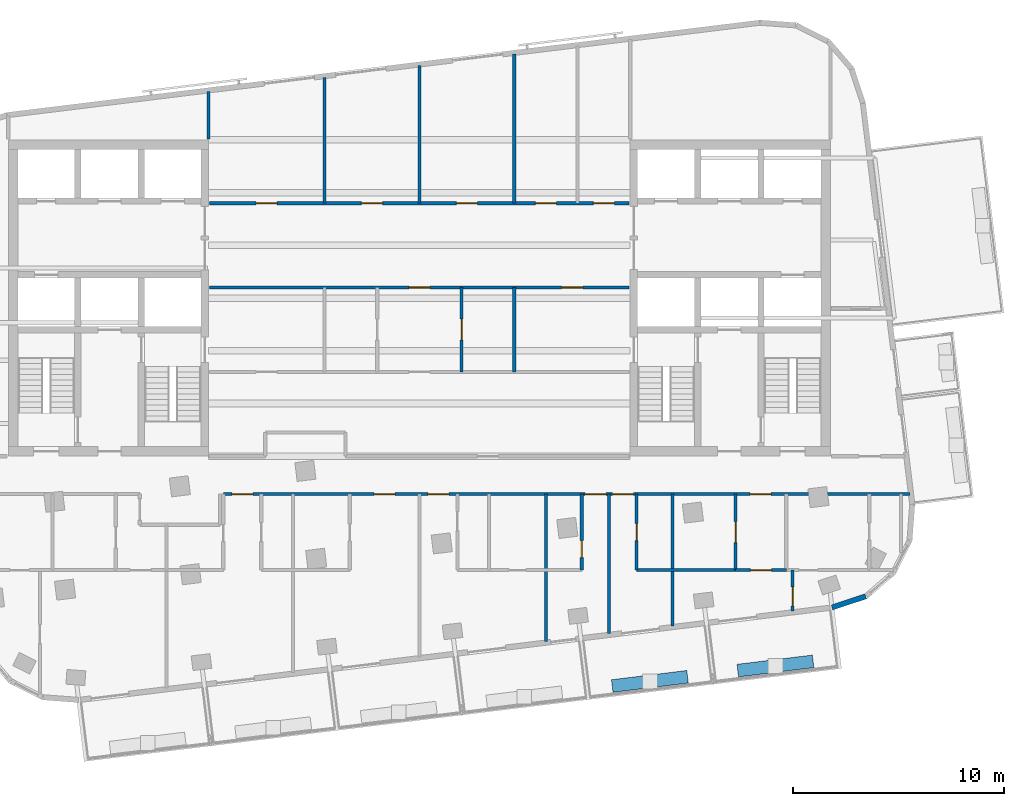
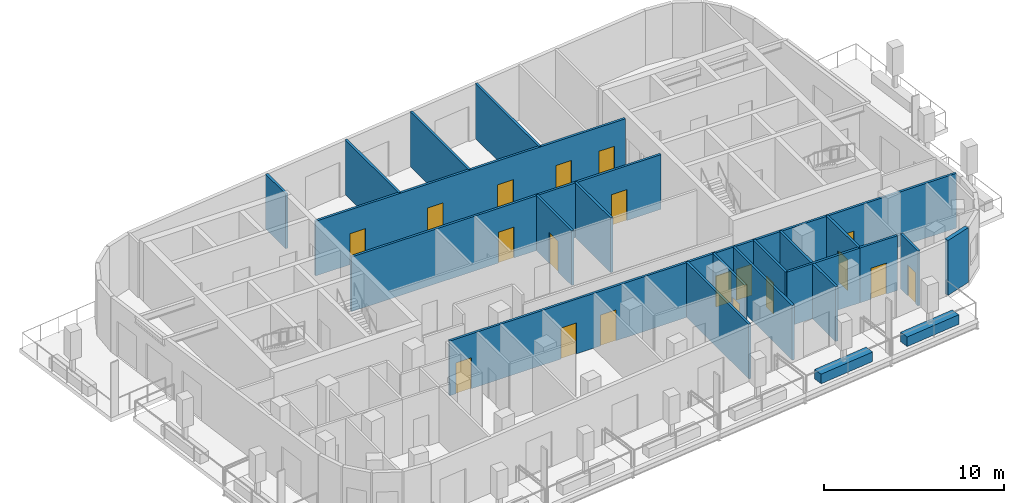
# One storey, part 5 of 11: 21 walls, 19 doors, 19 openings.
"""IFC4 building model written with IfcOpenShell, lengths in metres."""

import ifcopenshell
import ifcopenshell.guid

model = None  # the IFC model being written
_history = None  # IfcOwnerHistory: only IFC2X3 demands one
_inside = {}  # id of a spatial element -> (the spatial element, [elements in it])
_under = {}  # id of a project, library or spatial element -> (it, [spatial elements below it])
_declared = {}  # id of a project -> (the project, [libraries it declares])
_typed = {}  # id of a type object -> (the type object, [elements of that type])
_made_of = {}  # id of a material, layer set ... -> (it, [elements and type objects made of it])


def new_model(schema):
    """Start an empty IFC model of exactly this schema.

    Asked for "IFC4X3", IfcOpenShell would pick the latest addendum, in which some entities
    have other attributes; the version numbers below select the first issue.
    IFC2X3 requires an IfcOwnerHistory on every rooted entity: one is made here for all.
    """
    global model, _history
    if schema == "IFC4X3":
        model = ifcopenshell.file(schema_version=(4, 3, 0, 0))
    else:
        model = ifcopenshell.file(schema=schema)
    _inside.clear()
    _under.clear()
    _declared.clear()
    _typed.clear()
    _made_of.clear()
    _history = None
    if model.schema == "IFC2X3":
        org = make("IfcOrganization", Name="unknown")
        user = make(
            "IfcPersonAndOrganization",
            ThePerson=make("IfcPerson", FamilyName="unknown"),
            TheOrganization=org,
        )
        app = make(
            "IfcApplication",
            ApplicationDeveloper=org,
            Version="unknown",
            ApplicationFullName="unknown",
            ApplicationIdentifier="unknown",
        )
        _history = make(
            "IfcOwnerHistory",
            OwningUser=user,
            OwningApplication=app,
            ChangeAction="ADDED",
            CreationDate=0,
        )
    return model


def make(cls, **values):
    """One entity of the class cls with the attributes given. An attribute that is None is left unset."""
    return model.create_entity(
        cls, **{name: value for name, value in values.items() if value is not None}
    )


def rooted(cls, **values):
    """An entity with a GlobalId (a new one), such as an element, a storey or a relation."""
    return make(cls, GlobalId=ifcopenshell.guid.new(), OwnerHistory=_history, **values)


def si_unit(unit_type, name, prefix=None):
    """IfcSIUnit, for example si_unit("LENGTHUNIT", "METRE", prefix="MILLI")."""
    return make("IfcSIUnit", UnitType=unit_type, Prefix=prefix, Name=name)


def assignment(units):
    """IfcUnitAssignment: the units of a project."""
    return None if units is None else make("IfcUnitAssignment", Units=units)


def point(xyz):
    """IfcCartesianPoint."""
    return None if xyz is None else make("IfcCartesianPoint", Coordinates=xyz)


def direction(xyz):
    """IfcDirection."""
    return None if xyz is None else make("IfcDirection", DirectionRatios=xyz)


def frame(location, z_axis=None, x_axis=None):
    """IfcAxis2Placement3D, a coordinate frame: its origin and axes. An axis left out is left unset."""
    return make(
        "IfcAxis2Placement3D",
        Location=point(location),
        Axis=direction(z_axis),
        RefDirection=direction(x_axis),
    )


def frame_2d(location, x_axis=None):
    """IfcAxis2Placement2D, a coordinate frame in the plane: its origin and x axis."""
    return make(
        "IfcAxis2Placement2D", Location=point(location), RefDirection=direction(x_axis)
    )


def origin():
    """The frame at (0, 0, 0) with its axes left unset."""
    return frame((0.0, 0.0, 0.0))


def place(relative_to, where):
    """IfcLocalPlacement: puts the frame where relative to a parent placement (None: the world)."""
    return make(
        "IfcLocalPlacement", PlacementRelTo=relative_to, RelativePlacement=where
    )


def context(
    kind, dimensions, precision=None, world=None, true_north=None, identifier=None
):
    """IfcGeometricRepresentationContext, for example the 3D "Model" context."""
    return make(
        "IfcGeometricRepresentationContext",
        ContextIdentifier=identifier,
        ContextType=kind,
        CoordinateSpaceDimension=dimensions,
        Precision=precision,
        WorldCoordinateSystem=world,
        TrueNorth=true_north,
    )


def subcontext(parent, identifier, kind, view, scale=None):
    """IfcGeometricRepresentationSubContext, for example "Body" below "Model"."""
    return make(
        "IfcGeometricRepresentationSubContext",
        ContextIdentifier=identifier,
        ContextType=kind,
        ParentContext=parent,
        TargetScale=scale,
        TargetView=view,
    )


def project(units=None, contexts=None):
    """IfcProject with its units and contexts."""
    return rooted(
        "IfcProject",
        Name="project",
        RepresentationContexts=contexts,
        UnitsInContext=assignment(units),
    )


def spatial(cls, under=None, at=None, **own):
    """A site, building, storey or space (cls), placed at a placement, below another one or the project."""
    s = rooted(cls, ObjectPlacement=at, **own)
    if under is not None:
        _under.setdefault(under.id(), (under, []))[1].append(s)
    return s


def profile(cls, at=None, kind="AREA", **sizes):
    """A parametric profile (cls). Its sizes go by their IFC names, for example OverallWidth=200.0."""
    return make(cls, ProfileType=kind, Position=at, **sizes)


def rectangle(**sizes):
    """IfcRectangleProfileDef."""
    return profile("IfcRectangleProfileDef", **sizes)


def extrude(swept, where, along, depth):
    """IfcExtrudedAreaSolid: the profile swept, set in the frame where, extruded along a direction by depth."""
    return make(
        "IfcExtrudedAreaSolid",
        SweptArea=swept,
        Position=where,
        ExtrudedDirection=direction(along),
        Depth=depth,
    )


def shape(context_of_items, identifier, shape_type, items):
    """IfcShapeRepresentation: the items that make up one representation, for example the "Body"."""
    return make(
        "IfcShapeRepresentation",
        ContextOfItems=context_of_items,
        RepresentationIdentifier=identifier,
        RepresentationType=shape_type,
        Items=items,
    )


def material(Name=None, Category=None):
    """IfcMaterial."""
    return make("IfcMaterial", Name=Name, Category=Category)


def layer(
    of_material, thickness, ventilated=None, Name=None, Category=None, Priority=None
):
    """IfcMaterialLayer: one layer of a wall or slab, of a material (None: an air gap)."""
    return make(
        "IfcMaterialLayer",
        Material=of_material,
        LayerThickness=thickness,
        IsVentilated=ventilated,
        Name=Name,
        Category=Category,
        Priority=Priority,
    )


def layer_set(layers, Name=None):
    """IfcMaterialLayerSet."""
    return make("IfcMaterialLayerSet", MaterialLayers=layers, LayerSetName=Name)


def made_of(thing, what):
    """Note that an element or type object is made of a material, layer set ...; save() writes the relation."""
    if what is not None:
        _made_of.setdefault(what.id(), (what, []))[1].append(thing)
    return thing


def type_object(cls, material=None, **own):
    """A type object (cls), such as IfcWallType, which elements share."""
    return made_of(rooted(cls, **own), material)


def element(
    cls,
    number,
    at=None,
    inside=None,
    cuts=None,
    type_object=None,
    material=None,
    context=None,
    identifier="Body",
    shape_type=None,
    held_by="IfcProductDefinitionShape",
    body=None,
    shapes=None,
    **own,
):
    """One element of the class cls, such as IfcWall. Its Tag is "e" and its number.

    at: its placement. inside: the storey or other place that contains it. cuts: it is an
    opening in that element (IfcRelVoidsElement). A single representation is given by context,
    identifier, shape_type and body (its items); several are given by shapes. held_by: the class
    of the entity that holds the representations. save() writes the other relations.
    """
    e = rooted(cls, Tag="e%d" % number, ObjectPlacement=at, **own)
    if body is not None:
        shapes = [shape(context, identifier, shape_type, body)]
    if shapes is not None:
        e.Representation = make(held_by, Representations=shapes)
    if inside is not None:
        _inside.setdefault(inside.id(), (inside, []))[1].append(e)
    if cuts is not None:
        rooted(
            "IfcRelVoidsElement", RelatingBuildingElement=cuts, RelatedOpeningElement=e
        )
    if type_object is not None:
        _typed.setdefault(type_object.id(), (type_object, []))[1].append(e)
    return made_of(e, material)


def fill(opening, filler):
    """IfcRelFillsElement: the door or window that sits in an opening."""
    return rooted(
        "IfcRelFillsElement",
        RelatingOpeningElement=opening,
        RelatedBuildingElement=filler,
    )


def aggregate(whole, parts):
    """IfcRelAggregates: a whole, such as a stair, and the parts it consists of."""
    return rooted("IfcRelAggregates", RelatingObject=whole, RelatedObjects=parts)


def save(model, path):
    """Write the relations noted so far, then the file.

    IfcRelAggregates (storeys below a building ...), IfcRelContainedInSpatialStructure (elements
    in a storey), IfcRelDefinesByType, IfcRelAssociatesMaterial and IfcRelDeclares: one each for
    every whole, place, type object, material and project.
    """
    for whole, parts in _under.values():
        aggregate(whole, parts)
    for where, things in _inside.values():
        rooted(
            "IfcRelContainedInSpatialStructure",
            RelatedElements=things,
            RelatingStructure=where,
        )
    for kind, things in _typed.values():
        rooted("IfcRelDefinesByType", RelatedObjects=things, RelatingType=kind)
    for what, things in _made_of.values():
        rooted("IfcRelAssociatesMaterial", RelatedObjects=things, RelatingMaterial=what)
    for by, libraries in _declared.values():
        rooted("IfcRelDeclares", RelatingContext=by, RelatedDefinitions=libraries)
    model.write(path)


model = new_model("IFC4")

# Units and contexts
model_context = context("Model", 3, precision=1e-05, world=origin(), true_north=direction((0.0, 1.0)))
body_context = subcontext(model_context, "Body", "Model", "MODEL_VIEW")
ifc_project = project(units=[si_unit("LENGTHUNIT", "METRE"), si_unit("AREAUNIT", "SQUARE_METRE"), si_unit("VOLUMEUNIT", "CUBIC_METRE"), si_unit("PLANEANGLEUNIT", "RADIAN"), si_unit("MASSUNIT", "GRAM", prefix="KILO")], contexts=[model_context])

# Site, building, storey
site_placement = place(None, origin())
site = spatial("IfcSite", under=ifc_project, at=site_placement, CompositionType="ELEMENT")
building_placement = place(site_placement, origin())
building = spatial("IfcBuilding", under=site, at=building_placement, Name="Torana Hotel and Residences", CompositionType="ELEMENT")
storey_placement = place(building_placement, frame((0.0, 0.0, 326.60009765625)))
storey = spatial("IfcBuildingStorey", under=building, at=storey_placement, Name="L86", CompositionType="ELEMENT", Elevation=326.60009765625)

# Wall
ifc_material_1 = material(Name="Black aluminium composite panel", Category="aluminium")
ifc_layer_1 = layer(ifc_material_1, 0.00390625, Name="Cladding", Category="cladding")
ifc_material_2 = material(Name="Ventilated air cavity")
ifc_layer_2 = layer(ifc_material_2, 0.0400390625, Name="Ventilated cavity", Category="cavity")
ifc_material_3 = material(Name="Mineral wool insulation")
ifc_layer_3 = layer(ifc_material_3, 0.090087890625, Name="Insulation", Category="insulation")
ifc_material_4 = material(Name="Steel S280GD", Category="steel")
ifc_layer_4 = layer(ifc_material_4, 0.092041015625, Name="Steel stud frame", Category="structure")
ifc_material_5 = material(Name="Fire rated plasterboard")
ifc_layer_5 = layer(ifc_material_5, 0.011962890625, Name="Inner board", Category="finish")
ifc_layer_6 = layer(ifc_material_5, 0.011962890625, Name="Second board", Category="finish")
ifc_layer_set_1 = layer_set([ifc_layer_1, ifc_layer_2, ifc_layer_3, ifc_layer_4, ifc_layer_5, ifc_layer_6], Name="EW1 EXTERNAL WALL BLACK METAL CLAD 250")
wall_type_1 = type_object("IfcWallType", Name="EW1 EXTERNAL WALL BLACK METAL CLAD 250", PredefinedType="SOLIDWALL", material=ifc_layer_set_1)
wall_1_placement = place(storey_placement, frame((19.568359375, -22.1748046875, 0.0), z_axis=(0.0, 0.0, 1.0), x_axis=(0.949694735798, 0.313177120489, 0.0)))
element("IfcWall", 1, at=wall_1_placement, inside=storey, type_object=wall_type_1, Name="External wall L86 e0.15", PredefinedType="SOLIDWALL", context=body_context, shape_type="SweptSolid", body=[
    extrude(rectangle(XDim=1.681396484375, YDim=0.25, at=frame_2d((0.8408203125, 0.0))), origin(), (0.0, 0.0, 1.0), 3.719970703125),
])

# Wall, opening, door
ifc_material_6 = material(Name="Gypsum plaster")
ifc_layer_7 = layer(ifc_material_6, 0.014892578125, Name="Plaster", Category="finish")
ifc_material_7 = material(Name="Concrete blockwork", Category="masonry")
ifc_layer_8 = layer(ifc_material_7, 0.1201171875, Name="Blockwork", Category="structure")
ifc_layer_9 = layer(ifc_material_6, 0.014892578125, Name="Plaster", Category="finish")
ifc_layer_set_2 = layer_set([ifc_layer_7, ifc_layer_8, ifc_layer_9], Name="FIRE PARTITION 150 BLOCKWORK")
wall_type_2 = type_object("IfcWallType", Name="FIRE PARTITION 150 BLOCKWORK", PredefinedType="PARTITIONING", material=ifc_layer_set_2)
wall_2_placement = place(storey_placement, frame((15.0, -20.39990234375, 0.0), z_axis=(0.0, 0.0, 1.0), x_axis=(0.0, 1.0, 0.0)))
wall_2 = element("IfcWall", 2, at=wall_2_placement, inside=storey, type_object=wall_type_2, Name="Partition L86", PredefinedType="PARTITIONING", context=body_context, shape_type="SweptSolid", body=[
    extrude(rectangle(XDim=3.599853515625, YDim=0.14990234375, at=frame_2d((1.7998046875, 0.0))), origin(), (0.0, 0.0, 1.0), 3.719970703125),
])
opening_1_placement = place(wall_2_placement, frame((1.300048828125, 0.0, 0.0)))
opening_1 = element("IfcOpeningElement", 3, at=opening_1_placement, cuts=wall_2, Name="Opening L86-50", PredefinedType="OPENING", context=body_context, shape_type="SweptSolid", body=[
    extrude(rectangle(XDim=1.0, YDim=2.10009765625, at=frame_2d((0.5, 1.050048828125))), frame((0.0, 0.0849609375, 0.0), z_axis=(0.0, -1.0, 0.0), x_axis=(1.0, 0.0, 0.0)), (0.0, 0.0, 1.0), 0.169921875),
])
ifc_material_8 = material(Name="Steel S235", Category="steel")
door_type_1 = type_object("IfcDoorType", Name="ENTRY FIRE DOOR D6 1000x2100", OperationType="SINGLE_SWING_LEFT", PredefinedType="DOOR", material=ifc_material_8)
door_1_placement = place(opening_1_placement, origin())
door_1 = element("IfcDoor", 4, at=door_1_placement, inside=storey, type_object=door_type_1, Name="Door L86", OperationType="SINGLE_SWING_RIGHT", OverallHeight=2.10009765625, OverallWidth=1.0, PredefinedType="DOOR", context=body_context, shape_type="SweptSolid", body=[
    extrude(rectangle(XDim=1.0, YDim=2.10009765625, at=frame_2d((0.5, 1.050048828125))), frame((0.0, 0.02490234375, 0.0), z_axis=(0.0, -1.0, 0.0), x_axis=(1.0, 0.0, 0.0)), (0.0, 0.0, 1.0), 0.050048828125),
])
fill(opening_1, door_1)

wall_3_placement = place(storey_placement, frame((2.0, -11.0, 0.0), z_axis=(0.0, 0.0, 1.0), x_axis=(0.0, 1.0, 0.0)))
wall_3 = element("IfcWall", 5, at=wall_3_placement, inside=storey, type_object=wall_type_2, Name="Partition L86", PredefinedType="PARTITIONING", context=body_context, shape_type="SweptSolid", body=[
    extrude(rectangle(XDim=4.0, YDim=0.14990234375, at=frame_2d((2.0, 0.0))), origin(), (0.0, 0.0, 1.0), 3.719970703125),
])
opening_2_placement = place(wall_3_placement, frame((1.5, 0.0, 0.0)))
opening_2 = element("IfcOpeningElement", 6, at=opening_2_placement, cuts=wall_3, Name="Opening L86-37", PredefinedType="OPENING", context=body_context, shape_type="SweptSolid", body=[
    extrude(rectangle(XDim=1.0, YDim=2.10009765625, at=frame_2d((0.5, 1.050048828125))), frame((0.0, 0.0849609375, 0.0), z_axis=(0.0, -1.0, 0.0), x_axis=(1.0, 0.0, 0.0)), (0.0, 0.0, 1.0), 0.169921875),
])
door_2_placement = place(opening_2_placement, frame((0.5, 0.0, 0.0), z_axis=(0.0, 0.0, 1.0), x_axis=(-1.0, 0.0, 0.0)))
door_2 = element("IfcDoor", 7, at=door_2_placement, inside=storey, type_object=door_type_1, Name="Door L86", OperationType="SINGLE_SWING_LEFT", OverallHeight=2.10009765625, OverallWidth=1.0, PredefinedType="DOOR", context=body_context, shape_type="SweptSolid", body=[
    extrude(rectangle(XDim=1.0, YDim=2.10009765625, at=frame_2d((0.0, 1.050048828125))), frame((0.0, -0.02490234375, 0.0), z_axis=(0.0, 1.0, 0.0), x_axis=(-1.0, 0.0, 0.0)), (0.0, 0.0, 1.0), 0.050048828125),
])
fill(opening_2, door_2)

wall_4_placement = place(storey_placement, frame((15.0, -20.39990234375, 0.0), z_axis=(0.0, 0.0, 1.0), x_axis=(1.0, 0.0, 0.0)))
wall_4 = element("IfcWall", 8, at=wall_4_placement, inside=storey, type_object=wall_type_2, Name="Partition L86", PredefinedType="PARTITIONING", context=body_context, shape_type="SweptSolid", body=[
    extrude(rectangle(XDim=2.39990234375, YDim=0.14990234375, at=frame_2d((1.199951171875, 0.0))), origin(), (0.0, 0.0, 1.0), 3.719970703125),
])
opening_3_placement = place(wall_4_placement, frame((0.699951171875, 0.0, 0.0)))
opening_3 = element("IfcOpeningElement", 9, at=opening_3_placement, cuts=wall_4, Name="Opening L86-51", PredefinedType="OPENING", context=body_context, shape_type="SweptSolid", body=[
    extrude(rectangle(XDim=1.0, YDim=2.10009765625, at=frame_2d((0.5, 1.050048828125))), frame((0.0, 0.0849609375, 0.0), z_axis=(0.0, -1.0, 0.0), x_axis=(1.0, 0.0, 0.0)), (0.0, 0.0, 1.0), 0.169921875),
])
door_3_placement = place(opening_3_placement, frame((0.5, 0.0, 0.0), z_axis=(0.0, 0.0, 1.0), x_axis=(-1.0, 0.0, 0.0)))
door_3 = element("IfcDoor", 10, at=door_3_placement, inside=storey, type_object=door_type_1, Name="Door L86", OperationType="SINGLE_SWING_RIGHT", OverallHeight=2.10009765625, OverallWidth=1.0, PredefinedType="DOOR", context=body_context, shape_type="SweptSolid", body=[
    extrude(rectangle(XDim=1.0, YDim=2.10009765625, at=frame_2d((0.0, 1.050048828125))), frame((0.0, -0.02490234375, 0.0), z_axis=(0.0, 1.0, 0.0), x_axis=(-1.0, 0.0, 0.0)), (0.0, 0.0, 1.0), 0.050048828125),
])
fill(opening_3, door_3)

# Wall, openings, doors
wall_5_placement = place(storey_placement, frame((-9.300048828125, -16.800048828125, 0.0), z_axis=(0.0, 0.0, 1.0), x_axis=(1.0, 0.0, 0.0)))
wall_5 = element("IfcWall", 11, at=wall_5_placement, inside=storey, type_object=wall_type_2, Name="Partition L86", PredefinedType="PARTITIONING", context=body_context, shape_type="SweptSolid", body=[
    extrude(rectangle(XDim=32.56103515625, YDim=0.14990234375, at=frame_2d((16.280517578125, 0.0))), origin(), (0.0, 0.0, 1.0), 3.719970703125),
])
opening_4_placement = place(wall_5_placement, frame((0.39990234375, 0.0, 0.0)))
opening_4 = element("IfcOpeningElement", 12, at=opening_4_placement, cuts=wall_5, Name="Opening L86-18", PredefinedType="OPENING", context=body_context, shape_type="SweptSolid", body=[
    extrude(rectangle(XDim=1.0, YDim=2.10009765625, at=frame_2d((0.5, 1.050048828125))), frame((0.0, 0.0849609375, 0.0), z_axis=(0.0, -1.0, 0.0), x_axis=(1.0, 0.0, 0.0)), (0.0, 0.0, 1.0), 0.169921875),
])
opening_5_placement = place(wall_5_placement, frame((7.14990234375, 0.0, 0.0)))
opening_5 = element("IfcOpeningElement", 13, at=opening_5_placement, cuts=wall_5, Name="Opening L86-19", PredefinedType="OPENING", context=body_context, shape_type="SweptSolid", body=[
    extrude(rectangle(XDim=1.0, YDim=2.10009765625, at=frame_2d((0.5, 1.050048828125))), frame((0.0, 0.0849609375, 0.0), z_axis=(0.0, -1.0, 0.0), x_axis=(1.0, 0.0, 0.0)), (0.0, 0.0, 1.0), 0.169921875),
])
opening_6_placement = place(wall_5_placement, frame((9.699951171875, 0.0, 0.0)))
opening_6 = element("IfcOpeningElement", 14, at=opening_6_placement, cuts=wall_5, Name="Opening L86-20", PredefinedType="OPENING", context=body_context, shape_type="SweptSolid", body=[
    extrude(rectangle(XDim=1.0, YDim=2.10009765625, at=frame_2d((0.5, 1.050048828125))), frame((0.0, 0.0849609375, 0.0), z_axis=(0.0, -1.0, 0.0), x_axis=(1.0, 0.0, 0.0)), (0.0, 0.0, 1.0), 0.169921875),
])
opening_7_placement = place(wall_5_placement, frame((17.14892578125, 0.0, 0.0)))
opening_7 = element("IfcOpeningElement", 15, at=opening_7_placement, cuts=wall_5, Name="Opening L86-21", PredefinedType="OPENING", context=body_context, shape_type="SweptSolid", body=[
    extrude(rectangle(XDim=1.0, YDim=2.10009765625, at=frame_2d((0.5, 1.050048828125))), frame((0.0, 0.0849609375, 0.0), z_axis=(0.0, -1.0, 0.0), x_axis=(1.0, 0.0, 0.0)), (0.0, 0.0, 1.0), 0.169921875),
])
opening_8_placement = place(wall_5_placement, frame((18.449951171875, 0.0, 0.0)))
opening_8 = element("IfcOpeningElement", 16, at=opening_8_placement, cuts=wall_5, Name="Opening L86-22", PredefinedType="OPENING", context=body_context, shape_type="SweptSolid", body=[
    extrude(rectangle(XDim=1.0, YDim=2.10009765625, at=frame_2d((0.5, 1.050048828125))), frame((0.0, 0.0849609375, 0.0), z_axis=(0.0, -1.0, 0.0), x_axis=(1.0, 0.0, 0.0)), (0.0, 0.0, 1.0), 0.169921875),
])
opening_9_placement = place(wall_5_placement, frame((24.97998046875, 0.0, 0.0)))
opening_9 = element("IfcOpeningElement", 17, at=opening_9_placement, cuts=wall_5, Name="Opening L86-24", PredefinedType="OPENING", context=body_context, shape_type="SweptSolid", body=[
    extrude(rectangle(XDim=1.0, YDim=2.10009765625, at=frame_2d((0.5, 1.050048828125))), frame((0.0, 0.0849609375, 0.0), z_axis=(0.0, -1.0, 0.0), x_axis=(1.0, 0.0, 0.0)), (0.0, 0.0, 1.0), 0.169921875),
])
door_4_placement = place(opening_4_placement, frame((0.5, 0.0, 0.0), z_axis=(0.0, 0.0, 1.0), x_axis=(-1.0, 0.0, 0.0)))
door_4 = element("IfcDoor", 18, at=door_4_placement, inside=storey, type_object=door_type_1, Name="Door L86", OperationType="SINGLE_SWING_LEFT", OverallHeight=2.10009765625, OverallWidth=1.0, PredefinedType="DOOR", context=body_context, shape_type="SweptSolid", body=[
    extrude(rectangle(XDim=1.0, YDim=2.10009765625, at=frame_2d((0.0, 1.050048828125))), frame((0.0, -0.02490234375, 0.0), z_axis=(0.0, 1.0, 0.0), x_axis=(-1.0, 0.0, 0.0)), (0.0, 0.0, 1.0), 0.050048828125),
])
fill(opening_4, door_4)
door_5_placement = place(opening_5_placement, frame((0.5, 0.0, 0.0), z_axis=(0.0, 0.0, 1.0), x_axis=(-1.0, 0.0, 0.0)))
door_5 = element("IfcDoor", 19, at=door_5_placement, inside=storey, type_object=door_type_1, Name="Door L86", OperationType="SINGLE_SWING_LEFT", OverallHeight=2.10009765625, OverallWidth=1.0, PredefinedType="DOOR", context=body_context, shape_type="SweptSolid", body=[
    extrude(rectangle(XDim=1.0, YDim=2.10009765625, at=frame_2d((0.0, 1.050048828125))), frame((0.0, -0.02490234375, 0.0), z_axis=(0.0, 1.0, 0.0), x_axis=(-1.0, 0.0, 0.0)), (0.0, 0.0, 1.0), 0.050048828125),
])
fill(opening_5, door_5)
door_6_placement = place(opening_6_placement, frame((0.5, 0.0, 0.0), z_axis=(0.0, 0.0, 1.0), x_axis=(-1.0, 0.0, 0.0)))
door_6 = element("IfcDoor", 20, at=door_6_placement, inside=storey, type_object=door_type_1, Name="Door L86", OperationType="SINGLE_SWING_LEFT", OverallHeight=2.10009765625, OverallWidth=1.0, PredefinedType="DOOR", context=body_context, shape_type="SweptSolid", body=[
    extrude(rectangle(XDim=1.0, YDim=2.10009765625, at=frame_2d((0.0, 1.050048828125))), frame((0.0, -0.02490234375, 0.0), z_axis=(0.0, 1.0, 0.0), x_axis=(-1.0, 0.0, 0.0)), (0.0, 0.0, 1.0), 0.050048828125),
])
fill(opening_6, door_6)
door_7_placement = place(opening_7_placement, frame((0.5, 0.0, 0.0), z_axis=(0.0, 0.0, 1.0), x_axis=(-1.0, 0.0, 0.0)))
door_7 = element("IfcDoor", 21, at=door_7_placement, inside=storey, type_object=door_type_1, Name="Door L86", OperationType="SINGLE_SWING_LEFT", OverallHeight=2.10009765625, OverallWidth=1.0, PredefinedType="DOOR", context=body_context, shape_type="SweptSolid", body=[
    extrude(rectangle(XDim=1.0, YDim=2.10009765625, at=frame_2d((0.0, 1.050048828125))), frame((0.0, -0.02490234375, 0.0), z_axis=(0.0, 1.0, 0.0), x_axis=(-1.0, 0.0, 0.0)), (0.0, 0.0, 1.0), 0.050048828125),
])
fill(opening_7, door_7)
door_8_placement = place(opening_8_placement, frame((0.5, 0.0, 0.0), z_axis=(0.0, 0.0, 1.0), x_axis=(-1.0, 0.0, 0.0)))
door_8 = element("IfcDoor", 22, at=door_8_placement, inside=storey, type_object=door_type_1, Name="Door L86", OperationType="SINGLE_SWING_LEFT", OverallHeight=2.10009765625, OverallWidth=1.0, PredefinedType="DOOR", context=body_context, shape_type="SweptSolid", body=[
    extrude(rectangle(XDim=1.0, YDim=2.10009765625, at=frame_2d((0.0, 1.050048828125))), frame((0.0, -0.02490234375, 0.0), z_axis=(0.0, 1.0, 0.0), x_axis=(-1.0, 0.0, 0.0)), (0.0, 0.0, 1.0), 0.050048828125),
])
fill(opening_8, door_8)
door_9_placement = place(opening_9_placement, origin())
door_9 = element("IfcDoor", 23, at=door_9_placement, inside=storey, type_object=door_type_1, Name="Door L86", OperationType="SINGLE_SWING_RIGHT", OverallHeight=2.10009765625, OverallWidth=1.0, PredefinedType="DOOR", context=body_context, shape_type="SweptSolid", body=[
    extrude(rectangle(XDim=1.0, YDim=2.10009765625, at=frame_2d((0.5, 1.050048828125))), frame((0.0, 0.02490234375, 0.0), z_axis=(0.0, -1.0, 0.0), x_axis=(1.0, 0.0, 0.0)), (0.0, 0.0, 1.0), 0.050048828125),
])
fill(opening_9, door_9)

wall_6_placement = place(storey_placement, frame((-9.949951171875, -7.0, 0.0), z_axis=(0.0, 0.0, 1.0), x_axis=(1.0, 0.0, 0.0)))
wall_6 = element("IfcWall", 24, at=wall_6_placement, inside=storey, type_object=wall_type_2, Name="Partition L86", PredefinedType="PARTITIONING", context=body_context, shape_type="SweptSolid", body=[
    extrude(rectangle(XDim=19.89990234375, YDim=0.14990234375, at=frame_2d((9.949951171875, 0.0))), origin(), (0.0, 0.0, 1.0), 3.719970703125),
])
opening_10_placement = place(wall_6_placement, frame((9.449951171875, 0.0, 0.0)))
opening_10 = element("IfcOpeningElement", 25, at=opening_10_placement, cuts=wall_6, Name="Opening L86-29", PredefinedType="OPENING", context=body_context, shape_type="SweptSolid", body=[
    extrude(rectangle(XDim=1.0, YDim=2.10009765625, at=frame_2d((0.5, 1.050048828125))), frame((0.0, 0.0849609375, 0.0), z_axis=(0.0, -1.0, 0.0), x_axis=(1.0, 0.0, 0.0)), (0.0, 0.0, 1.0), 0.169921875),
])
opening_11_placement = place(wall_6_placement, frame((16.699951171875, 0.0, 0.0)))
opening_11 = element("IfcOpeningElement", 26, at=opening_11_placement, cuts=wall_6, Name="Opening L86-30", PredefinedType="OPENING", context=body_context, shape_type="SweptSolid", body=[
    extrude(rectangle(XDim=1.0, YDim=2.10009765625, at=frame_2d((0.5, 1.050048828125))), frame((0.0, 0.0849609375, 0.0), z_axis=(0.0, -1.0, 0.0), x_axis=(1.0, 0.0, 0.0)), (0.0, 0.0, 1.0), 0.169921875),
])
door_10_placement = place(opening_10_placement, origin())
door_10 = element("IfcDoor", 27, at=door_10_placement, inside=storey, type_object=door_type_1, Name="Door L86", OperationType="SINGLE_SWING_RIGHT", OverallHeight=2.10009765625, OverallWidth=1.0, PredefinedType="DOOR", context=body_context, shape_type="SweptSolid", body=[
    extrude(rectangle(XDim=1.0, YDim=2.10009765625, at=frame_2d((0.5, 1.050048828125))), frame((0.0, 0.02490234375, 0.0), z_axis=(0.0, -1.0, 0.0), x_axis=(1.0, 0.0, 0.0)), (0.0, 0.0, 1.0), 0.050048828125),
])
fill(opening_10, door_10)
door_11_placement = place(opening_11_placement, frame((0.5, 0.0, 0.0), z_axis=(0.0, 0.0, 1.0), x_axis=(-1.0, 0.0, 0.0)))
door_11 = element("IfcDoor", 28, at=door_11_placement, inside=storey, type_object=door_type_1, Name="Door L86", OperationType="SINGLE_SWING_LEFT", OverallHeight=2.10009765625, OverallWidth=1.0, PredefinedType="DOOR", context=body_context, shape_type="SweptSolid", body=[
    extrude(rectangle(XDim=1.0, YDim=2.10009765625, at=frame_2d((0.0, 1.050048828125))), frame((0.0, -0.02490234375, 0.0), z_axis=(0.0, 1.0, 0.0), x_axis=(-1.0, 0.0, 0.0)), (0.0, 0.0, 1.0), 0.050048828125),
])
fill(opening_11, door_11)

wall_7_placement = place(storey_placement, frame((-9.949951171875, -3.0, 0.0), z_axis=(0.0, 0.0, 1.0), x_axis=(1.0, 0.0, 0.0)))
wall_7 = element("IfcWall", 29, at=wall_7_placement, inside=storey, type_object=wall_type_2, Name="Partition L86", PredefinedType="PARTITIONING", context=body_context, shape_type="SweptSolid", body=[
    extrude(rectangle(XDim=19.89990234375, YDim=0.14990234375, at=frame_2d((9.949951171875, 0.0))), origin(), (0.0, 0.0, 1.0), 3.719970703125),
])
opening_12_placement = place(wall_7_placement, frame((2.199951171875, 0.0, 0.0)))
opening_12 = element("IfcOpeningElement", 30, at=opening_12_placement, cuts=wall_7, Name="Opening L86-31", PredefinedType="OPENING", context=body_context, shape_type="SweptSolid", body=[
    extrude(rectangle(XDim=1.0, YDim=2.10009765625, at=frame_2d((0.5, 1.050048828125))), frame((0.0, 0.0849609375, 0.0), z_axis=(0.0, -1.0, 0.0), x_axis=(1.0, 0.0, 0.0)), (0.0, 0.0, 1.0), 0.169921875),
])
opening_13_placement = place(wall_7_placement, frame((7.199951171875, 0.0, 0.0)))
opening_13 = element("IfcOpeningElement", 31, at=opening_13_placement, cuts=wall_7, Name="Opening L86-32", PredefinedType="OPENING", context=body_context, shape_type="SweptSolid", body=[
    extrude(rectangle(XDim=1.0, YDim=2.10009765625, at=frame_2d((0.5, 1.050048828125))), frame((0.0, 0.0849609375, 0.0), z_axis=(0.0, -1.0, 0.0), x_axis=(1.0, 0.0, 0.0)), (0.0, 0.0, 1.0), 0.169921875),
])
opening_14_placement = place(wall_7_placement, frame((11.699951171875, 0.0, 0.0)))
opening_14 = element("IfcOpeningElement", 32, at=opening_14_placement, cuts=wall_7, Name="Opening L86-33", PredefinedType="OPENING", context=body_context, shape_type="SweptSolid", body=[
    extrude(rectangle(XDim=1.0, YDim=2.10009765625, at=frame_2d((0.5, 1.050048828125))), frame((0.0, 0.0849609375, 0.0), z_axis=(0.0, -1.0, 0.0), x_axis=(1.0, 0.0, 0.0)), (0.0, 0.0, 1.0), 0.169921875),
])
opening_15_placement = place(wall_7_placement, frame((15.449951171875, 0.0, 0.0)))
opening_15 = element("IfcOpeningElement", 33, at=opening_15_placement, cuts=wall_7, Name="Opening L86-34", PredefinedType="OPENING", context=body_context, shape_type="SweptSolid", body=[
    extrude(rectangle(XDim=1.0, YDim=2.10009765625, at=frame_2d((0.5, 1.050048828125))), frame((0.0, 0.0849609375, 0.0), z_axis=(0.0, -1.0, 0.0), x_axis=(1.0, 0.0, 0.0)), (0.0, 0.0, 1.0), 0.169921875),
])
opening_16_placement = place(wall_7_placement, frame((18.199951171875, 0.0, 0.0)))
opening_16 = element("IfcOpeningElement", 34, at=opening_16_placement, cuts=wall_7, Name="Opening L86-35", PredefinedType="OPENING", context=body_context, shape_type="SweptSolid", body=[
    extrude(rectangle(XDim=1.0, YDim=2.10009765625, at=frame_2d((0.5, 1.050048828125))), frame((0.0, 0.0849609375, 0.0), z_axis=(0.0, -1.0, 0.0), x_axis=(1.0, 0.0, 0.0)), (0.0, 0.0, 1.0), 0.169921875),
])
door_12_placement = place(opening_12_placement, origin())
door_12 = element("IfcDoor", 35, at=door_12_placement, inside=storey, type_object=door_type_1, Name="Door L86", OperationType="SINGLE_SWING_RIGHT", OverallHeight=2.10009765625, OverallWidth=1.0, PredefinedType="DOOR", context=body_context, shape_type="SweptSolid", body=[
    extrude(rectangle(XDim=1.0, YDim=2.10009765625, at=frame_2d((0.5, 1.050048828125))), frame((0.0, 0.02490234375, 0.0), z_axis=(0.0, -1.0, 0.0), x_axis=(1.0, 0.0, 0.0)), (0.0, 0.0, 1.0), 0.050048828125),
])
fill(opening_12, door_12)
door_13_placement = place(opening_13_placement, origin())
door_13 = element("IfcDoor", 36, at=door_13_placement, inside=storey, type_object=door_type_1, Name="Door L86", OperationType="SINGLE_SWING_RIGHT", OverallHeight=2.10009765625, OverallWidth=1.0, PredefinedType="DOOR", context=body_context, shape_type="SweptSolid", body=[
    extrude(rectangle(XDim=1.0, YDim=2.10009765625, at=frame_2d((0.5, 1.050048828125))), frame((0.0, 0.02490234375, 0.0), z_axis=(0.0, -1.0, 0.0), x_axis=(1.0, 0.0, 0.0)), (0.0, 0.0, 1.0), 0.050048828125),
])
fill(opening_13, door_13)
door_14_placement = place(opening_14_placement, origin())
door_14 = element("IfcDoor", 37, at=door_14_placement, inside=storey, type_object=door_type_1, Name="Door L86", OperationType="SINGLE_SWING_RIGHT", OverallHeight=2.10009765625, OverallWidth=1.0, PredefinedType="DOOR", context=body_context, shape_type="SweptSolid", body=[
    extrude(rectangle(XDim=1.0, YDim=2.10009765625, at=frame_2d((0.5, 1.050048828125))), frame((0.0, 0.02490234375, 0.0), z_axis=(0.0, -1.0, 0.0), x_axis=(1.0, 0.0, 0.0)), (0.0, 0.0, 1.0), 0.050048828125),
])
fill(opening_14, door_14)
door_15_placement = place(opening_15_placement, origin())
door_15 = element("IfcDoor", 38, at=door_15_placement, inside=storey, type_object=door_type_1, Name="Door L86", OperationType="SINGLE_SWING_RIGHT", OverallHeight=2.10009765625, OverallWidth=1.0, PredefinedType="DOOR", context=body_context, shape_type="SweptSolid", body=[
    extrude(rectangle(XDim=1.0, YDim=2.10009765625, at=frame_2d((0.5, 1.050048828125))), frame((0.0, 0.02490234375, 0.0), z_axis=(0.0, -1.0, 0.0), x_axis=(1.0, 0.0, 0.0)), (0.0, 0.0, 1.0), 0.050048828125),
])
fill(opening_15, door_15)
door_16_placement = place(opening_16_placement, origin())
door_16 = element("IfcDoor", 39, at=door_16_placement, inside=storey, type_object=door_type_1, Name="Door L86", OperationType="SINGLE_SWING_RIGHT", OverallHeight=2.10009765625, OverallWidth=1.0, PredefinedType="DOOR", context=body_context, shape_type="SweptSolid", body=[
    extrude(rectangle(XDim=1.0, YDim=2.10009765625, at=frame_2d((0.5, 1.050048828125))), frame((0.0, 0.02490234375, 0.0), z_axis=(0.0, -1.0, 0.0), x_axis=(1.0, 0.0, 0.0)), (0.0, 0.0, 1.0), 0.050048828125),
])
fill(opening_16, door_16)

# Wall, opening, door
ifc_material_9 = material(Name="Gypsum plasterboard")
ifc_layer_10 = layer(ifc_material_9, 0.012451171875, Name="Plasterboard", Category="finish")
ifc_layer_11 = layer(ifc_material_9, 0.012451171875, Name="Plasterboard", Category="finish")
ifc_layer_12 = layer(ifc_material_4, 0.10009765625, Name="Steel studs with mineral wool", Category="insulation")
ifc_layer_13 = layer(ifc_material_9, 0.012451171875, Name="Plasterboard", Category="finish")
ifc_layer_14 = layer(ifc_material_9, 0.012451171875, Name="Plasterboard", Category="finish")
ifc_layer_set_3 = layer_set([ifc_layer_10, ifc_layer_11, ifc_layer_12, ifc_layer_13, ifc_layer_14], Name="PARTITION 150 PLASTERBOARD")
wall_type_3 = type_object("IfcWallType", Name="PARTITION 150 PLASTERBOARD", PredefinedType="PARTITIONING", material=ifc_layer_set_3)
wall_8_placement = place(storey_placement, frame((17.699951171875, -22.351318359375, 0.0), z_axis=(0.0, 0.0, 1.0), x_axis=(0.0, 1.0, 0.0)))
wall_8 = element("IfcWall", 40, at=wall_8_placement, inside=storey, type_object=wall_type_3, Name="Partition L86", PredefinedType="PARTITIONING", context=body_context, shape_type="SweptSolid", body=[
    extrude(rectangle(XDim=1.951416015625, YDim=0.14990234375, at=frame_2d((0.9755859375, 0.0))), origin(), (0.0, 0.0, 1.0), 3.719970703125),
])
opening_17_placement = place(wall_8_placement, frame((0.25, 0.0, 0.0)))
opening_17 = element("IfcOpeningElement", 41, at=opening_17_placement, cuts=wall_8, Name="Opening L86-54", PredefinedType="OPENING", context=body_context, shape_type="SweptSolid", body=[
    extrude(rectangle(XDim=0.89990234375, YDim=2.10009765625, at=frame_2d((0.449951171875, 1.050048828125))), frame((0.0, 0.0849609375, 0.0), z_axis=(0.0, -1.0, 0.0), x_axis=(1.0, 0.0, 0.0)), (0.0, 0.0, 1.0), 0.169921875),
])
ifc_material_10 = material(Name="Timber door, oiled ash", Category="wood")
door_type_2 = type_object("IfcDoorType", Name="ROOM DOOR D7 900x2100", OperationType="SINGLE_SWING_LEFT", PredefinedType="DOOR", material=ifc_material_10)
door_17_placement = place(opening_17_placement, origin())
door_17 = element("IfcDoor", 42, at=door_17_placement, inside=storey, type_object=door_type_2, Name="Door L86", OperationType="SINGLE_SWING_RIGHT", OverallHeight=2.10009765625, OverallWidth=0.89990234375, PredefinedType="DOOR", context=body_context, shape_type="SweptSolid", body=[
    extrude(rectangle(XDim=0.89990234375, YDim=2.10009765625, at=frame_2d((0.449951171875, 1.050048828125))), frame((0.0, 0.02490234375, 0.0), z_axis=(0.0, -1.0, 0.0), x_axis=(1.0, 0.0, 0.0)), (0.0, 0.0, 1.0), 0.050048828125),
])
fill(opening_17, door_17)

# Wall
wall_9_placement = place(storey_placement, frame((12.0, -23.051025390625, 0.0), z_axis=(0.0, 0.0, 1.0), x_axis=(0.0, 1.0, 0.0)))
element("IfcWall", 43, at=wall_9_placement, inside=storey, type_object=wall_type_3, Name="Partition L86", PredefinedType="PARTITIONING", context=body_context, shape_type="SweptSolid", body=[
    extrude(rectangle(XDim=6.2509765625, YDim=0.14990234375, at=frame_2d((3.12548828125, 0.0))), origin(), (0.0, 0.0, 1.0), 3.719970703125),
])

# Wall, opening, door
wall_10_placement = place(storey_placement, frame((10.300048828125, -20.39990234375, 0.0), z_axis=(0.0, 0.0, 1.0), x_axis=(0.0, 1.0, 0.0)))
wall_10 = element("IfcWall", 44, at=wall_10_placement, inside=storey, type_object=wall_type_3, Name="Partition L86", PredefinedType="PARTITIONING", context=body_context, shape_type="SweptSolid", body=[
    extrude(rectangle(XDim=3.599853515625, YDim=0.14990234375, at=frame_2d((1.7998046875, 0.0))), origin(), (0.0, 0.0, 1.0), 3.719970703125),
])
opening_18_placement = place(wall_10_placement, frame((1.39990234375, 0.0, 0.0)))
opening_18 = element("IfcOpeningElement", 45, at=opening_18_placement, cuts=wall_10, Name="Opening L86-44", PredefinedType="OPENING", context=body_context, shape_type="SweptSolid", body=[
    extrude(rectangle(XDim=0.800048828125, YDim=2.10009765625, at=frame_2d((0.39990234375, 1.050048828125))), frame((0.0, 0.0849609375, 0.0), z_axis=(0.0, -1.0, 0.0), x_axis=(1.0, 0.0, 0.0)), (0.0, 0.0, 1.0), 0.169921875),
])
ifc_material_11 = material(Name="Timber door, painted", Category="wood")
door_type_3 = type_object("IfcDoorType", Name="BATH DOOR D13 800x2100", OperationType="SINGLE_SWING_LEFT", PredefinedType="DOOR", material=ifc_material_11)
door_18_placement = place(opening_18_placement, origin())
door_18 = element("IfcDoor", 46, at=door_18_placement, inside=storey, type_object=door_type_3, Name="Door L86", OperationType="SINGLE_SWING_LEFT", OverallHeight=2.10009765625, OverallWidth=0.800048828125, PredefinedType="DOOR", context=body_context, shape_type="SweptSolid", body=[
    extrude(rectangle(XDim=0.800048828125, YDim=2.10009765625, at=frame_2d((0.39990234375, 1.050048828125))), frame((0.0, 0.02490234375, 0.0), z_axis=(0.0, -1.0, 0.0), x_axis=(1.0, 0.0, 0.0)), (0.0, 0.0, 1.0), 0.050048828125),
])
fill(opening_18, door_18)

# Wall
wall_11_placement = place(storey_placement, frame((9.0, -23.41943359375, 0.0), z_axis=(0.0, 0.0, 1.0), x_axis=(0.0, 1.0, 0.0)))
element("IfcWall", 47, at=wall_11_placement, inside=storey, type_object=wall_type_3, Name="Partition L86", PredefinedType="PARTITIONING", context=body_context, shape_type="SweptSolid", body=[
    extrude(rectangle(XDim=6.619384765625, YDim=0.14990234375, at=frame_2d((3.3095703125, 0.0))), origin(), (0.0, 0.0, 1.0), 3.719970703125),
])

# Wall, opening, door
wall_12_placement = place(storey_placement, frame((7.699951171875, -20.39990234375, 0.0), z_axis=(0.0, 0.0, 1.0), x_axis=(0.0, 1.0, 0.0)))
wall_12 = element("IfcWall", 48, at=wall_12_placement, inside=storey, type_object=wall_type_3, Name="Partition L86", PredefinedType="PARTITIONING", context=body_context, shape_type="SweptSolid", body=[
    extrude(rectangle(XDim=3.599853515625, YDim=0.14990234375, at=frame_2d((1.7998046875, 0.0))), origin(), (0.0, 0.0, 1.0), 3.719970703125),
])
opening_19_placement = place(wall_12_placement, frame((0.594482421875, 0.0, 0.0)))
opening_19 = element("IfcOpeningElement", 49, at=opening_19_placement, cuts=wall_12, Name="Opening L86-43", PredefinedType="OPENING", context=body_context, shape_type="SweptSolid", body=[
    extrude(rectangle(XDim=0.800048828125, YDim=2.10009765625, at=frame_2d((0.39990234375, 1.050048828125))), frame((0.0, 0.0849609375, 0.0), z_axis=(0.0, -1.0, 0.0), x_axis=(1.0, 0.0, 0.0)), (0.0, 0.0, 1.0), 0.169921875),
])
door_19_placement = place(opening_19_placement, origin())
door_19 = element("IfcDoor", 50, at=door_19_placement, inside=storey, type_object=door_type_3, Name="Door L86", OperationType="SINGLE_SWING_LEFT", OverallHeight=2.10009765625, OverallWidth=0.800048828125, PredefinedType="DOOR", context=body_context, shape_type="SweptSolid", body=[
    extrude(rectangle(XDim=0.800048828125, YDim=2.10009765625, at=frame_2d((0.39990234375, 1.050048828125))), frame((0.0, 0.02490234375, 0.0), z_axis=(0.0, -1.0, 0.0), x_axis=(1.0, 0.0, 0.0)), (0.0, 0.0, 1.0), 0.050048828125),
])
fill(opening_19, door_19)

# Walls
wall_13_placement = place(storey_placement, frame((6.0, -23.787841796875, 0.0), z_axis=(0.0, 0.0, 1.0), x_axis=(0.0, 1.0, 0.0)))
element("IfcWall", 51, at=wall_13_placement, inside=storey, type_object=wall_type_3, Name="Partition L86", PredefinedType="PARTITIONING", context=body_context, shape_type="SweptSolid", body=[
    extrude(rectangle(XDim=6.98779296875, YDim=0.14990234375, at=frame_2d((3.493896484375, 0.0))), origin(), (0.0, 0.0, 1.0), 3.719970703125),
])
wall_14_placement = place(storey_placement, frame((4.5, -11.0, 0.0), z_axis=(0.0, 0.0, 1.0), x_axis=(0.0, 1.0, 0.0)))
element("IfcWall", 52, at=wall_14_placement, inside=storey, type_object=wall_type_3, Name="Partition L86", PredefinedType="PARTITIONING", context=body_context, shape_type="SweptSolid", body=[
    extrude(rectangle(XDim=4.0, YDim=0.14990234375, at=frame_2d((2.0, 0.0))), origin(), (0.0, 0.0, 1.0), 3.719970703125),
])
wall_15_placement = place(storey_placement, frame((0.0, -3.0, 0.0), z_axis=(0.0, 0.0, 1.0), x_axis=(0.0, 1.0, 0.0)))
element("IfcWall", 53, at=wall_15_placement, inside=storey, type_object=wall_type_3, Name="Partition L86", PredefinedType="PARTITIONING", context=body_context, shape_type="SweptSolid", body=[
    extrude(rectangle(XDim=6.5244140625, YDim=0.14990234375, at=frame_2d((3.26220703125, 0.0))), origin(), (0.0, 0.0, 1.0), 3.719970703125),
])
wall_16_placement = place(storey_placement, frame((-4.5, -3.0, 0.0), z_axis=(0.0, 0.0, 1.0), x_axis=(0.0, 1.0, 0.0)))
element("IfcWall", 54, at=wall_16_placement, inside=storey, type_object=wall_type_3, Name="Partition L86", PredefinedType="PARTITIONING", context=body_context, shape_type="SweptSolid", body=[
    extrude(rectangle(XDim=5.971923828125, YDim=0.14990234375, at=frame_2d((2.98583984375, 0.0))), origin(), (0.0, 0.0, 1.0), 3.719970703125),
])
wall_17_placement = place(storey_placement, frame((-10.0, 0.050048828125, 0.0), z_axis=(0.0, 0.0, 1.0), x_axis=(0.0, 1.0, 0.0)))
element("IfcWall", 55, at=wall_17_placement, inside=storey, type_object=wall_type_3, Name="Partition L86", PredefinedType="PARTITIONING", context=body_context, shape_type="SweptSolid", body=[
    extrude(rectangle(XDim=2.24658203125, YDim=0.14990234375, at=frame_2d((1.123291015625, 0.0))), origin(), (0.0, 0.0, 1.0), 3.719970703125),
])
wall_18_placement = place(storey_placement, frame((10.300048828125, -20.39990234375, 0.0), z_axis=(0.0, 0.0, 1.0), x_axis=(1.0, 0.0, 0.0)))
element("IfcWall", 56, at=wall_18_placement, inside=storey, type_object=wall_type_3, Name="Partition L86", PredefinedType="PARTITIONING", context=body_context, shape_type="SweptSolid", body=[
    extrude(rectangle(XDim=4.699951171875, YDim=0.14990234375, at=frame_2d((2.35009765625, 0.0))), origin(), (0.0, 0.0, 1.0), 3.719970703125),
])
ifc_material_12 = material(Name="Concrete C40/50 precast", Category="concrete")
ifc_layer_15 = layer(ifc_material_12, 0.10009765625, Name="Planter shell", Category="structure")
ifc_material_13 = material(Name="Root resistant membrane")
ifc_layer_16 = layer(ifc_material_13, 0.00390625, Name="Waterproofing membrane", Category="membrane")
ifc_material_14 = material(Name="Drainage board with filter fleece")
ifc_layer_17 = layer(ifc_material_14, 0.02001953125, Name="Drainage board", Category="drainage")
ifc_material_15 = material(Name="Growing medium")
ifc_layer_18 = layer(ifc_material_15, 0.47607421875, Name="Planting substrate", Category="soil")
ifc_layer_set_4 = layer_set([ifc_layer_15, ifc_layer_16, ifc_layer_17, ifc_layer_18], Name="PL1 BALCONY PLANTER 600")
wall_type_4 = type_object("IfcWallType", Name="PL1 BALCONY PLANTER 600", PredefinedType="USERDEFINED", material=ifc_layer_set_4)
for number, where, z_axis, x_axis, name in (
    (57, (12.718017578125, -25.461669921875, 0.0), (0.0, 0.0, 1.0), (-0.992545758265, -0.121872547154, 0.0), "Planter 05"),
    (58, (18.67333984375, -24.73046875, 0.0), (0.0, 0.0, 1.0), (-0.992545758265, -0.121872547154, 0.0), "Planter 06"),
):
    element("IfcWall", number, at=place(storey_placement, frame(where, z_axis=z_axis, x_axis=x_axis)), inside=storey, type_object=wall_type_4, Name=name, ObjectType="PLANTER", PredefinedType="USERDEFINED", context=body_context, shape_type="SweptSolid", body=[
        extrude(rectangle(XDim=3.599853515625, YDim=0.60009765625, at=frame_2d((1.7998046875, 0.0))), origin(), (0.0, 0.0, 1.0), 0.64990234375),
    ])
ifc_material_16 = material(Name="Ceramic tile on adhesive")
ifc_layer_19 = layer(ifc_material_16, 0.010009765625, Name="Wall tile", Category="finish")
ifc_material_17 = material(Name="Cement render")
ifc_layer_20 = layer(ifc_material_17, 0.010009765625, Name="Render", Category="finish")
ifc_layer_21 = layer(ifc_material_7, 0.110107421875, Name="Blockwork", Category="structure")
ifc_layer_22 = layer(ifc_material_17, 0.010009765625, Name="Render", Category="finish")
ifc_layer_23 = layer(ifc_material_16, 0.010009765625, Name="Wall tile", Category="finish")
ifc_layer_set_5 = layer_set([ifc_layer_19, ifc_layer_20, ifc_layer_21, ifc_layer_22, ifc_layer_23], Name="WC PARTITION 150")
wall_type_5 = type_object("IfcWallType", Name="WC PARTITION 150", PredefinedType="PLUMBINGWALL", material=ifc_layer_set_5)
wall_19_placement = place(storey_placement, frame((4.5, -3.0, 0.0), z_axis=(0.0, 0.0, 1.0), x_axis=(0.0, 1.0, 0.0)))
element("IfcWall", 59, at=wall_19_placement, inside=storey, type_object=wall_type_5, Name="Partition L86", PredefinedType="PLUMBINGWALL", context=body_context, shape_type="SweptSolid", body=[
    extrude(rectangle(XDim=7.076904296875, YDim=0.14990234375, at=frame_2d((3.53857421875, 0.0))), origin(), (0.0, 0.0, 1.0), 3.719970703125),
])

save(model, "model.ifc")
